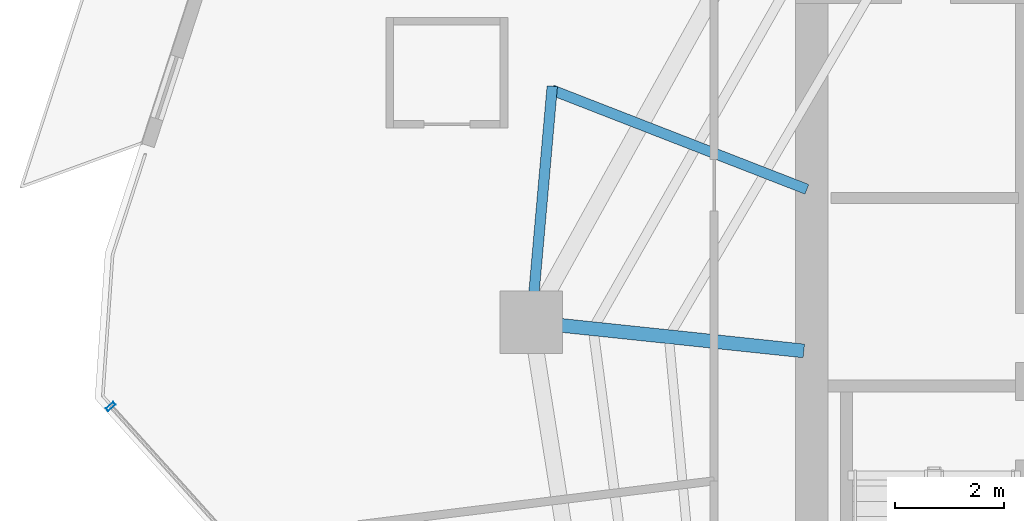
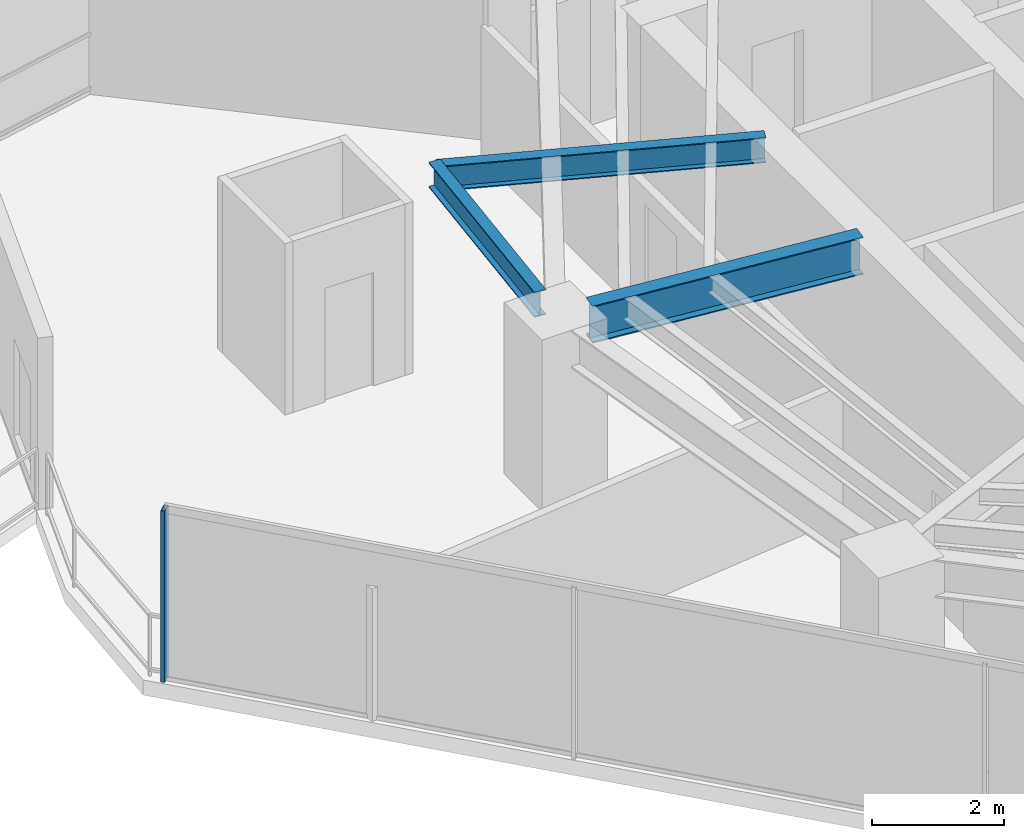
# One storey, part 8 of 27: 3 beams, 1 member, 1 element without a shape of its own.
"""IFC4 building model written with IfcOpenShell, lengths in metres."""

import ifcopenshell
import ifcopenshell.guid

model = None  # the IFC model being written
_history = None  # IfcOwnerHistory: only IFC2X3 demands one
_inside = {}  # id of a spatial element -> (the spatial element, [elements in it])
_under = {}  # id of a project, library or spatial element -> (it, [spatial elements below it])
_declared = {}  # id of a project -> (the project, [libraries it declares])
_typed = {}  # id of a type object -> (the type object, [elements of that type])
_made_of = {}  # id of a material, layer set ... -> (it, [elements and type objects made of it])


def new_model(schema):
    """Start an empty IFC model of exactly this schema.

    Asked for "IFC4X3", IfcOpenShell would pick the latest addendum, in which some entities
    have other attributes; the version numbers below select the first issue.
    IFC2X3 requires an IfcOwnerHistory on every rooted entity: one is made here for all.
    """
    global model, _history
    if schema == "IFC4X3":
        model = ifcopenshell.file(schema_version=(4, 3, 0, 0))
    else:
        model = ifcopenshell.file(schema=schema)
    _inside.clear()
    _under.clear()
    _declared.clear()
    _typed.clear()
    _made_of.clear()
    _history = None
    if model.schema == "IFC2X3":
        org = make("IfcOrganization", Name="unknown")
        user = make(
            "IfcPersonAndOrganization",
            ThePerson=make("IfcPerson", FamilyName="unknown"),
            TheOrganization=org,
        )
        app = make(
            "IfcApplication",
            ApplicationDeveloper=org,
            Version="unknown",
            ApplicationFullName="unknown",
            ApplicationIdentifier="unknown",
        )
        _history = make(
            "IfcOwnerHistory",
            OwningUser=user,
            OwningApplication=app,
            ChangeAction="ADDED",
            CreationDate=0,
        )
    return model


def make(cls, **values):
    """One entity of the class cls with the attributes given. An attribute that is None is left unset."""
    return model.create_entity(
        cls, **{name: value for name, value in values.items() if value is not None}
    )


def rooted(cls, **values):
    """An entity with a GlobalId (a new one), such as an element, a storey or a relation."""
    return make(cls, GlobalId=ifcopenshell.guid.new(), OwnerHistory=_history, **values)


def si_unit(unit_type, name, prefix=None):
    """IfcSIUnit, for example si_unit("LENGTHUNIT", "METRE", prefix="MILLI")."""
    return make("IfcSIUnit", UnitType=unit_type, Prefix=prefix, Name=name)


def assignment(units):
    """IfcUnitAssignment: the units of a project."""
    return None if units is None else make("IfcUnitAssignment", Units=units)


def point(xyz):
    """IfcCartesianPoint."""
    return None if xyz is None else make("IfcCartesianPoint", Coordinates=xyz)


def direction(xyz):
    """IfcDirection."""
    return None if xyz is None else make("IfcDirection", DirectionRatios=xyz)


def frame(location, z_axis=None, x_axis=None):
    """IfcAxis2Placement3D, a coordinate frame: its origin and axes. An axis left out is left unset."""
    return make(
        "IfcAxis2Placement3D",
        Location=point(location),
        Axis=direction(z_axis),
        RefDirection=direction(x_axis),
    )


def frame_2d(location, x_axis=None):
    """IfcAxis2Placement2D, a coordinate frame in the plane: its origin and x axis."""
    return make(
        "IfcAxis2Placement2D", Location=point(location), RefDirection=direction(x_axis)
    )


def origin():
    """The frame at (0, 0, 0) with its axes left unset."""
    return frame((0.0, 0.0, 0.0))


def origin_2d():
    """The frame at (0, 0) in the plane with its x axis left unset."""
    return frame_2d((0.0, 0.0))


def place(relative_to, where):
    """IfcLocalPlacement: puts the frame where relative to a parent placement (None: the world)."""
    return make(
        "IfcLocalPlacement", PlacementRelTo=relative_to, RelativePlacement=where
    )


def context(
    kind, dimensions, precision=None, world=None, true_north=None, identifier=None
):
    """IfcGeometricRepresentationContext, for example the 3D "Model" context."""
    return make(
        "IfcGeometricRepresentationContext",
        ContextIdentifier=identifier,
        ContextType=kind,
        CoordinateSpaceDimension=dimensions,
        Precision=precision,
        WorldCoordinateSystem=world,
        TrueNorth=true_north,
    )


def subcontext(parent, identifier, kind, view, scale=None):
    """IfcGeometricRepresentationSubContext, for example "Body" below "Model"."""
    return make(
        "IfcGeometricRepresentationSubContext",
        ContextIdentifier=identifier,
        ContextType=kind,
        ParentContext=parent,
        TargetScale=scale,
        TargetView=view,
    )


def project(units=None, contexts=None):
    """IfcProject with its units and contexts."""
    return rooted(
        "IfcProject",
        Name="project",
        RepresentationContexts=contexts,
        UnitsInContext=assignment(units),
    )


def spatial(cls, under=None, at=None, **own):
    """A site, building, storey or space (cls), placed at a placement, below another one or the project."""
    s = rooted(cls, ObjectPlacement=at, **own)
    if under is not None:
        _under.setdefault(under.id(), (under, []))[1].append(s)
    return s


def profile(cls, at=None, kind="AREA", **sizes):
    """A parametric profile (cls). Its sizes go by their IFC names, for example OverallWidth=200.0."""
    return make(cls, ProfileType=kind, Position=at, **sizes)


def hollow_rectangle(**sizes):
    """IfcRectangleHollowProfileDef."""
    return profile("IfcRectangleHollowProfileDef", **sizes)


def i_section(**sizes):
    """IfcIShapeProfileDef."""
    return profile("IfcIShapeProfileDef", **sizes)


def extrude(swept, where, along, depth):
    """IfcExtrudedAreaSolid: the profile swept, set in the frame where, extruded along a direction by depth."""
    return make(
        "IfcExtrudedAreaSolid",
        SweptArea=swept,
        Position=where,
        ExtrudedDirection=direction(along),
        Depth=depth,
    )


def shape(context_of_items, identifier, shape_type, items):
    """IfcShapeRepresentation: the items that make up one representation, for example the "Body"."""
    return make(
        "IfcShapeRepresentation",
        ContextOfItems=context_of_items,
        RepresentationIdentifier=identifier,
        RepresentationType=shape_type,
        Items=items,
    )


def material(Name=None, Category=None):
    """IfcMaterial."""
    return make("IfcMaterial", Name=Name, Category=Category)


def layer(
    of_material, thickness, ventilated=None, Name=None, Category=None, Priority=None
):
    """IfcMaterialLayer: one layer of a wall or slab, of a material (None: an air gap)."""
    return make(
        "IfcMaterialLayer",
        Material=of_material,
        LayerThickness=thickness,
        IsVentilated=ventilated,
        Name=Name,
        Category=Category,
        Priority=Priority,
    )


def layer_set(layers, Name=None):
    """IfcMaterialLayerSet."""
    return make("IfcMaterialLayerSet", MaterialLayers=layers, LayerSetName=Name)


def material_profile(
    of_material, cross_section, Name=None, Category=None, Priority=None
):
    """IfcMaterialProfile: a cross section and its material."""
    return make(
        "IfcMaterialProfile",
        Name=Name,
        Material=of_material,
        Profile=cross_section,
        Priority=Priority,
        Category=Category,
    )


def profile_set(profiles, Name=None, composite=None):
    """IfcMaterialProfileSet."""
    return make(
        "IfcMaterialProfileSet",
        Name=Name,
        MaterialProfiles=profiles,
        CompositeProfile=composite,
    )


def made_of(thing, what):
    """Note that an element or type object is made of a material, layer set ...; save() writes the relation."""
    if what is not None:
        _made_of.setdefault(what.id(), (what, []))[1].append(thing)
    return thing


def type_object(cls, material=None, **own):
    """A type object (cls), such as IfcWallType, which elements share."""
    return made_of(rooted(cls, **own), material)


def element(
    cls,
    number,
    at=None,
    inside=None,
    cuts=None,
    type_object=None,
    material=None,
    context=None,
    identifier="Body",
    shape_type=None,
    held_by="IfcProductDefinitionShape",
    body=None,
    shapes=None,
    **own,
):
    """One element of the class cls, such as IfcWall. Its Tag is "e" and its number.

    at: its placement. inside: the storey or other place that contains it. cuts: it is an
    opening in that element (IfcRelVoidsElement). A single representation is given by context,
    identifier, shape_type and body (its items); several are given by shapes. held_by: the class
    of the entity that holds the representations. save() writes the other relations.
    """
    e = rooted(cls, Tag="e%d" % number, ObjectPlacement=at, **own)
    if body is not None:
        shapes = [shape(context, identifier, shape_type, body)]
    if shapes is not None:
        e.Representation = make(held_by, Representations=shapes)
    if inside is not None:
        _inside.setdefault(inside.id(), (inside, []))[1].append(e)
    if cuts is not None:
        rooted(
            "IfcRelVoidsElement", RelatingBuildingElement=cuts, RelatedOpeningElement=e
        )
    if type_object is not None:
        _typed.setdefault(type_object.id(), (type_object, []))[1].append(e)
    return made_of(e, material)


def aggregate(whole, parts):
    """IfcRelAggregates: a whole, such as a stair, and the parts it consists of."""
    return rooted("IfcRelAggregates", RelatingObject=whole, RelatedObjects=parts)


def save(model, path):
    """Write the relations noted so far, then the file.

    IfcRelAggregates (storeys below a building ...), IfcRelContainedInSpatialStructure (elements
    in a storey), IfcRelDefinesByType, IfcRelAssociatesMaterial and IfcRelDeclares: one each for
    every whole, place, type object, material and project.
    """
    for whole, parts in _under.values():
        aggregate(whole, parts)
    for where, things in _inside.values():
        rooted(
            "IfcRelContainedInSpatialStructure",
            RelatedElements=things,
            RelatingStructure=where,
        )
    for kind, things in _typed.values():
        rooted("IfcRelDefinesByType", RelatedObjects=things, RelatingType=kind)
    for what, things in _made_of.values():
        rooted("IfcRelAssociatesMaterial", RelatedObjects=things, RelatingMaterial=what)
    for by, libraries in _declared.values():
        rooted("IfcRelDeclares", RelatingContext=by, RelatedDefinitions=libraries)
    model.write(path)


model = new_model("IFC4")

# Units and contexts
model_context = context("Model", 3, precision=1e-05, world=origin(), true_north=direction((0.0, 1.0)))
body_context = subcontext(model_context, "Body", "Model", "MODEL_VIEW")
ifc_project = project(units=[si_unit("LENGTHUNIT", "METRE"), si_unit("AREAUNIT", "SQUARE_METRE"), si_unit("VOLUMEUNIT", "CUBIC_METRE"), si_unit("PLANEANGLEUNIT", "RADIAN"), si_unit("MASSUNIT", "GRAM", prefix="KILO")], contexts=[model_context])

# Site, building, storey
site_placement = place(None, origin())
site = spatial("IfcSite", under=ifc_project, at=site_placement, CompositionType="ELEMENT")
building_placement = place(site_placement, origin())
building = spatial("IfcBuilding", under=site, at=building_placement, Name="Qarnah Convention Tower", CompositionType="ELEMENT")
storey_placement = place(building_placement, frame((0.0, 0.0, 110.85009765625)))
storey = spatial("IfcBuildingStorey", under=building, at=storey_placement, Name="L29", CompositionType="ELEMENT", Elevation=110.85009765625)

# Beams
ifc_material_1 = material(Name="Structural steel S355JR", Category="steel")
ifc_material_profile_1 = material_profile(ifc_material_1, i_section(OverallWidth=0.19189453125, OverallDepth=0.464111328125, WebThickness=0.010986328125, FlangeThickness=0.01806640625, at=origin_2d()), Name="W460X89")
ifc_profile_set_1 = profile_set([ifc_material_profile_1], Name="Structural steel S355JR")
beam_type_1 = type_object("IfcBeamType", Name="BM-CANT-W460A", PredefinedType="BEAM", material=ifc_profile_set_1)
beam_1_placement = place(storey_placement, frame((26.70703125, 30.48291015625, 2.93798828125), z_axis=(-0.93184170275, 0.362865045183, 0.0), x_axis=(-0.362865045183, -0.93184170275, 0.0)))
element("IfcBeam", 1, at=beam_1_placement, inside=storey, type_object=beam_type_1, Name="L29 beam BM-L29-CNT-02-1", PredefinedType="BEAM", context=body_context, shape_type="SweptSolid", body=[
    extrude(i_section(OverallWidth=0.19189453125, OverallDepth=0.464111328125, WebThickness=0.010986328125, FlangeThickness=0.01806640625, at=origin_2d()), origin(), (0.0, 0.0, 1.0), 5.035400390625),
])
beam_2_placement = place(storey_placement, frame((22.02099609375, 32.3798828125, 2.93798828125), z_axis=(-0.088250477094, -0.996098315074, 0.0), x_axis=(0.996098315074, -0.088250477094, 0.0)))
element("IfcBeam", 2, at=beam_2_placement, inside=storey, type_object=beam_type_1, Name="L29 spandrel BM-L29-CTIE-02", PredefinedType="SPANDREL", context=body_context, shape_type="SweptSolid", body=[
    extrude(i_section(OverallWidth=0.19189453125, OverallDepth=0.464111328125, WebThickness=0.010986328125, FlangeThickness=0.01806640625, at=origin_2d()), origin(), (0.0, 0.0, 1.0), 3.795654296875),
])
ifc_material_profile_2 = material_profile(ifc_material_1, i_section(OverallWidth=0.25390625, OverallDepth=0.68798828125, WebThickness=0.012939453125, FlangeThickness=0.02099609375, at=origin_2d()), Name="W690X152")
ifc_profile_set_2 = profile_set([ifc_material_profile_2], Name="Structural steel S355JR")
beam_type_2 = type_object("IfcBeamType", Name="BM-RAD-W690", PredefinedType="BEAM", material=ifc_profile_set_2)
beam_3_placement = place(storey_placement, frame((26.65087890625, 27.509033203125, 2.825927734375), z_axis=(-0.994523622606, 0.104512028393, 0.0), x_axis=(-0.104512028393, -0.994523622606, 0.0)))
element("IfcBeam", 3, at=beam_3_placement, inside=storey, type_object=beam_type_2, Name="L29 beam BM-L29-RAD-05", PredefinedType="BEAM", context=body_context, shape_type="SweptSolid", body=[
    extrude(i_section(OverallWidth=0.25390625, OverallDepth=0.68798828125, WebThickness=0.012939453125, FlangeThickness=0.02099609375, at=origin_2d()), origin(), (0.0, 0.0, 1.0), 4.487548828125),
])

# Curtain wall, member
ifc_material_2 = material(Name="Tempered Low-E dark glass", Category="glass")
ifc_layer = layer(ifc_material_2, 0.169921875)
ifc_layer_set = layer_set([ifc_layer], Name="Tempered Low-E dark glass")
curtain_wall_type = type_object("IfcCurtainWallType", Name="CWS-02", PredefinedType="NOTDEFINED", material=ifc_layer_set)
curtain_wall_placement = place(storey_placement, origin())
curtain_wall = element("IfcCurtainWall", 4, at=curtain_wall_placement, inside=storey, type_object=curtain_wall_type, Name="L29 unitised curtain wall CW-L29-F3", PredefinedType="NOTDEFINED")
ifc_material_3 = material(Name="Black anodised aluminium", Category="aluminium")
ifc_material_profile_3 = material_profile(ifc_material_3, hollow_rectangle(XDim=0.06494140625, YDim=0.179931640625, WallThickness=0.00390625, at=origin_2d()), Name="MUL-65X180")
ifc_profile_set_3 = profile_set([ifc_material_profile_3], Name="Black anodised aluminium")
member_type = type_object("IfcMemberType", Name="MUL-T2", PredefinedType="MULLION", material=ifc_profile_set_3)
member_placement = place(storey_placement, frame((13.89501953125, 26.486083984375, 0.0), z_axis=(0.0, 0.0, 1.0), x_axis=(-0.669121773521, 0.743152778505, 0.0)))
member = element("IfcMember", 5, at=member_placement, type_object=member_type, Name="CW-L29-F3 mullion 6", PredefinedType="MULLION", context=body_context, shape_type="SweptSolid", body=[
    extrude(hollow_rectangle(XDim=0.06494140625, YDim=0.179931640625, WallThickness=0.00390625, at=origin_2d()), origin(), (0.0, 0.0, 1.0), 3.169921875),
])
aggregate(curtain_wall, [member])

save(model, "model.ifc")
